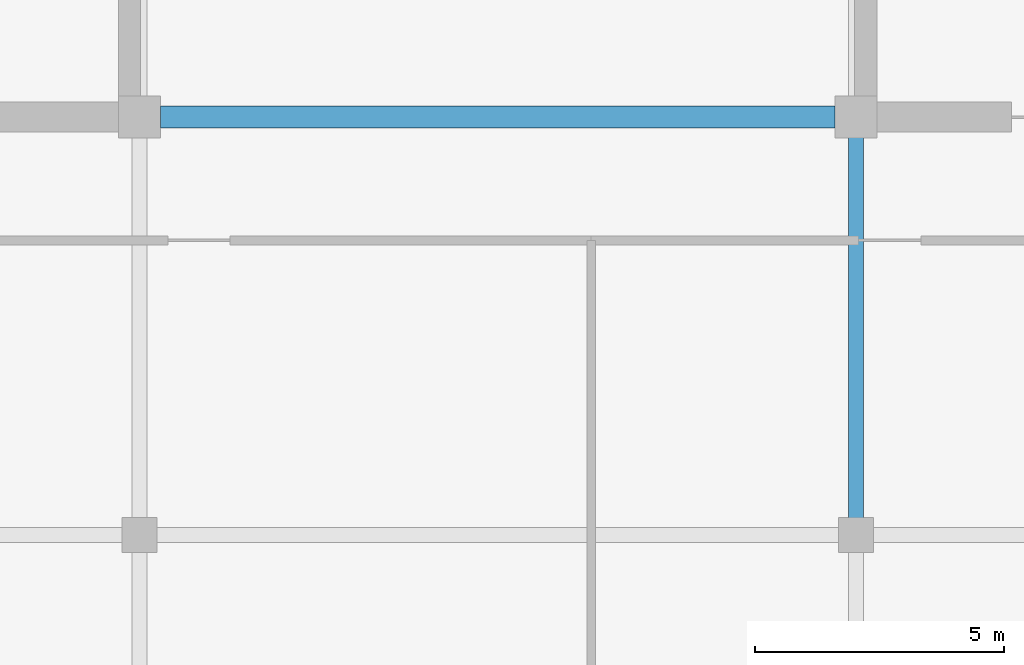
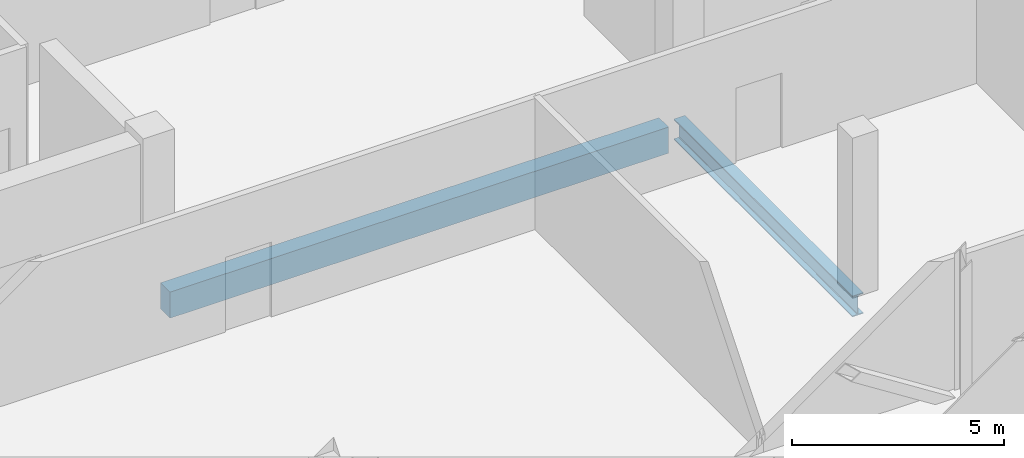
# One storey, part 10 of 26: 2 beams.
"""IFC4 building model written with IfcOpenShell, lengths in metres."""

from ifc_helpers import new_model, si_unit, direction, frame, origin, origin_2d, place, context, subcontext, project, spatial, rectangle, i_section, extrude, material, material_profile, profile_set, type_object, element, save


model = new_model("IFC4")

# Units and contexts
model_context = context("Model", 3, precision=1e-05, world=origin(), true_north=direction((0.0, 1.0)))
body_context = subcontext(model_context, "Body", "Model", "MODEL_VIEW")
ifc_project = project(units=[si_unit("LENGTHUNIT", "METRE"), si_unit("AREAUNIT", "SQUARE_METRE"), si_unit("VOLUMEUNIT", "CUBIC_METRE"), si_unit("PLANEANGLEUNIT", "RADIAN"), si_unit("MASSUNIT", "GRAM", prefix="KILO")], contexts=[model_context])

# Site, building, storey
site_placement = place(None, origin())
site = spatial("IfcSite", under=ifc_project, at=site_placement, CompositionType="ELEMENT")
building_placement = place(site_placement, origin())
building = spatial("IfcBuilding", under=site, at=building_placement, Name="Zarnakvel Exchange Tower", CompositionType="ELEMENT")
storey_placement = place(building_placement, frame((0.0, 0.0, 280.800048828125)))
storey = spatial("IfcBuildingStorey", under=building, at=storey_placement, Name="Crown L79", CompositionType="ELEMENT", Elevation=280.800048828125)

# Beams
ifc_material_1 = material(Name="Concrete C50/60", Category="concrete")
ifc_material_profile_1 = material_profile(ifc_material_1, rectangle(XDim=0.449951171875, YDim=0.75, at=origin_2d()))
ifc_profile_set_1 = profile_set([ifc_material_profile_1], Name="Concrete C50/60")
beam_type_1 = type_object("IfcBeamType", Name="CB-03", PredefinedType="LINTEL", material=ifc_profile_set_1)
beam_1_placement = place(storey_placement, frame((-6.77490234375, -1.199951171875, -0.594970703125), z_axis=(1.0, 0.0, 0.0), x_axis=(0.0, 1.0, 0.0)))
element("IfcBeam", 1, at=beam_1_placement, inside=storey, type_object=beam_type_1, Name="Crown L79 Rear Core South Coupling Beam (CB-03)", PredefinedType="LINTEL", context=body_context, shape_type="SweptSolid", body=[
    extrude(rectangle(XDim=0.449951171875, YDim=0.75, at=origin_2d()), origin(), (0.0, 0.0, 1.0), 13.5498046875),
])
ifc_material_2 = material(Name="Steel S355", Category="steel")
ifc_material_profile_2 = material_profile(ifc_material_2, i_section(OverallWidth=0.300048828125, OverallDepth=0.60009765625, WebThickness=0.015380859375, FlangeThickness=0.030029296875, FilletRadius=0.027099609375, at=origin_2d()))
ifc_profile_set_2 = profile_set([ifc_material_profile_2], Name="Steel S355")
beam_type_2 = type_object("IfcBeamType", Name="G-04", PredefinedType="BEAM", material=ifc_profile_set_2)
beam_2_placement = place(storey_placement, frame((7.199951171875, -9.60009765625, -0.52001953125), z_axis=(0.0, 1.0, 0.0), x_axis=(-1.0, 0.0, 0.0)))
element("IfcBeam", 2, at=beam_2_placement, inside=storey, type_object=beam_type_2, Name="Crown L79 Tower N-S Frame Beam", PredefinedType="BEAM", context=body_context, shape_type="SweptSolid", body=[
    extrude(i_section(OverallWidth=0.300048828125, OverallDepth=0.60009765625, WebThickness=0.015380859375, FlangeThickness=0.030029296875, FilletRadius=0.027099609375, at=origin_2d()), origin(), (0.0, 0.0, 1.0), 8.400146484375),
])

save(model, "model.ifc")
